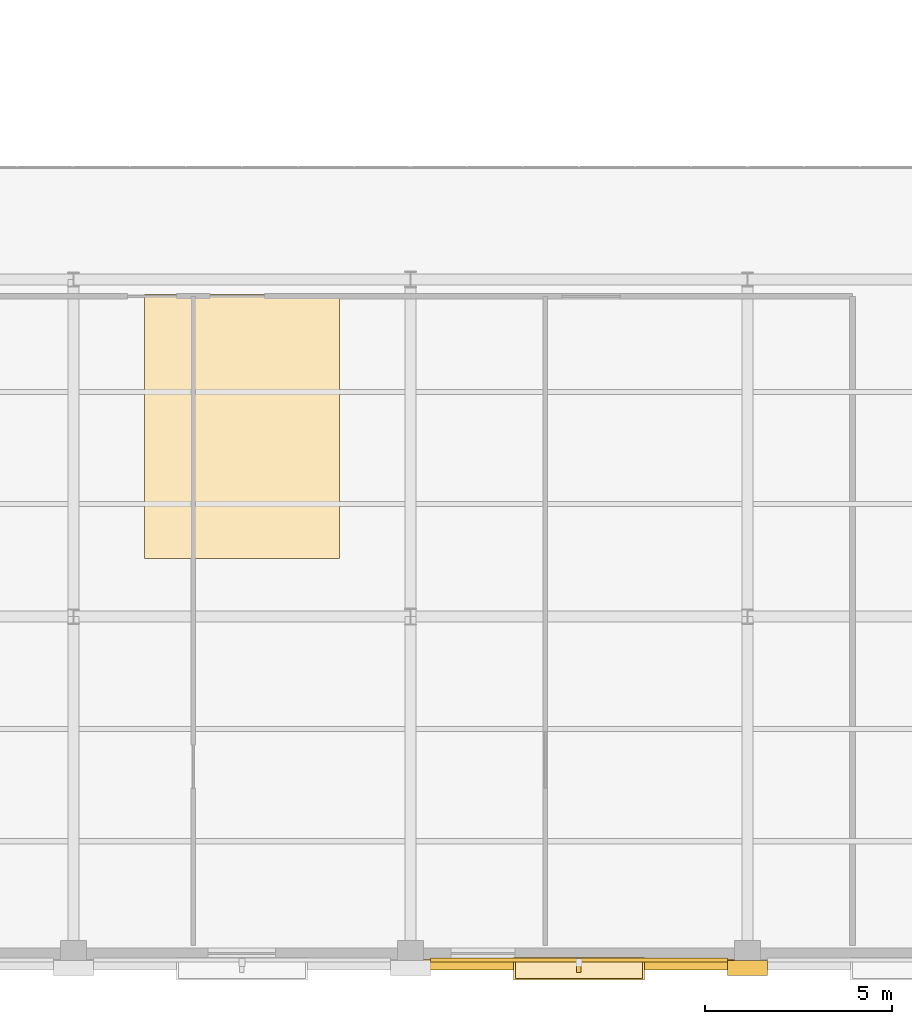
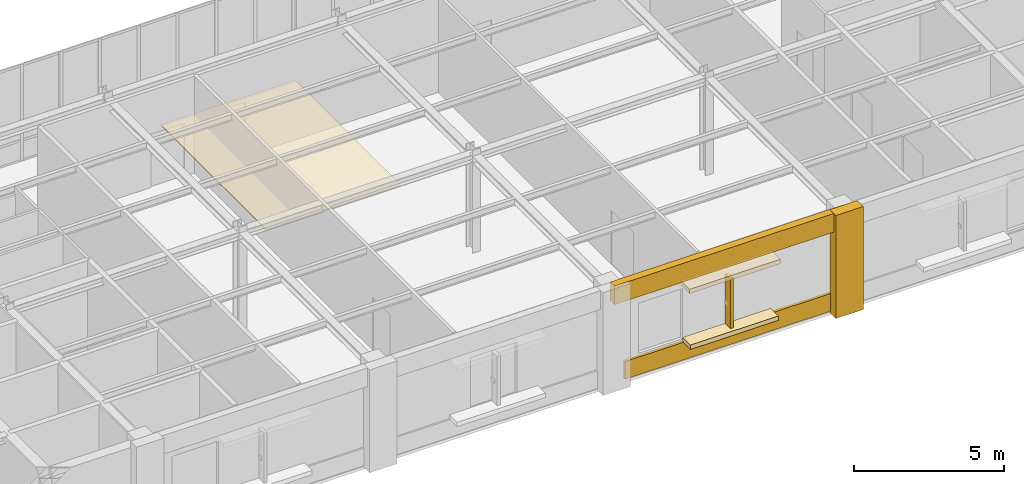
# One storey, part 123 of 130: 6 coverings, 1 shading device.
"""IFC4 building model written with IfcOpenShell, lengths in metres."""

from ifc_helpers import new_model, si_unit, direction, frame, origin, origin_2d, place, context, subcontext, project, spatial, rectangle, extrude, material, layer, layer_set, type_object, element, save


model = new_model("IFC4")

# Units and contexts
model_context = context("Model", 3, precision=1e-05, world=origin(), true_north=direction((0.0, 1.0)))
body_context = subcontext(model_context, "Body", "Model", "MODEL_VIEW")
ifc_project = project(units=[si_unit("LENGTHUNIT", "METRE"), si_unit("AREAUNIT", "SQUARE_METRE"), si_unit("VOLUMEUNIT", "CUBIC_METRE"), si_unit("PLANEANGLEUNIT", "RADIAN"), si_unit("MASSUNIT", "GRAM", prefix="KILO")], contexts=[model_context])

# Site, building, storey
site_placement = place(None, origin())
site = spatial("IfcSite", under=ifc_project, at=site_placement, CompositionType="ELEMENT")
building_placement = place(site_placement, origin())
building = spatial("IfcBuilding", under=site, at=building_placement, Name="Lykobir Media Centre", CompositionType="ELEMENT")
storey_placement = place(building_placement, frame((0.0, 0.0, 19.199951171875)))
storey = spatial("IfcBuildingStorey", under=building, at=storey_placement, Name="L04", CompositionType="ELEMENT", Elevation=19.199951171875)

# Coverings
ifc_material_1 = material(Name="Glazed Turquoise Terracotta", Category="masonry")
ifc_layer_1 = layer(ifc_material_1, 0.0400390625, Name="Glazed Turquoise Terracotta")
ifc_layer_set_1 = layer_set([ifc_layer_1], Name="Glazed Turquoise Terracotta")
covering_type_1 = type_object("IfcCoveringType", Name="CLD-TERR", PredefinedType="CLADDING", material=ifc_layer_set_1)
covering_1_placement = place(storey_placement, frame((58.5, -0.1708984375, 0.080078125), z_axis=(0.0, 0.0, 1.0), x_axis=(1.0, 0.0, 0.0)))
element("IfcCovering", 1, at=covering_1_placement, inside=storey, type_object=covering_type_1, Name="Facade spandrel apron 613", PredefinedType="CLADDING", context=body_context, shape_type="SweptSolid", body=[
    extrude(rectangle(XDim=7.929931640625, YDim=0.10009765625, at=origin_2d()), origin(), (0.0, 0.0, 1.0), 0.719970703125),
])
ifc_material_2 = material(Name="Honed Travertine Stone", Category="masonry")
ifc_layer_2 = layer(ifc_material_2, 0.050048828125, Name="Honed Travertine Stone")
ifc_layer_set_2 = layer_set([ifc_layer_2], Name="Honed Travertine Stone")
covering_type_2 = type_object("IfcCoveringType", Name="CLD-TRAV", PredefinedType="CLADDING", material=ifc_layer_set_2)
covering_2_placement = place(storey_placement, frame((63.0, -0.3798828125, 0.0), z_axis=(0.0, 0.0, 1.0), x_axis=(1.0, 0.0, 0.0)))
element("IfcCovering", 2, at=covering_2_placement, inside=storey, type_object=covering_type_2, Name="Travertine column pier 611", PredefinedType="CLADDING", context=body_context, shape_type="SweptSolid", body=[
    extrude(rectangle(XDim=1.06005859375, YDim=0.39990234375, at=origin_2d()), origin(), (0.0, 0.0, 1.0), 4.199951171875),
])
covering_3_placement = place(storey_placement, frame((58.5, -0.300048828125, 3.43994140625), z_axis=(0.0, 0.0, 1.0), x_axis=(1.0, 0.0, 0.0)))
element("IfcCovering", 3, at=covering_3_placement, inside=storey, type_object=covering_type_2, Name="Travertine spandrel stringcourse 612", PredefinedType="CLADDING", context=body_context, shape_type="SweptSolid", body=[
    extrude(rectangle(XDim=9.0, YDim=0.280029296875, at=origin_2d()), origin(), (0.0, 0.0, 1.0), 0.760009765625),
])
covering_4_placement = place(storey_placement, frame((58.5, -0.405029296875, 0.77001953125), z_axis=(0.0, 0.0, 1.0), x_axis=(1.0, 0.0, 0.0)))
element("IfcCovering", 4, at=covering_4_placement, inside=storey, type_object=covering_type_2, Name="Ottoman Cumba sill 614", PredefinedType="CLADDING", context=body_context, shape_type="SweptSolid", body=[
    extrude(rectangle(XDim=3.39990234375, YDim=0.52001953125, at=origin_2d()), origin(), (0.0, 0.0, 1.0), 0.179931640625),
])
covering_5_placement = place(storey_placement, frame((58.5, -0.405029296875, 3.08984375), z_axis=(0.0, 0.0, 1.0), x_axis=(1.0, 0.0, 0.0)))
element("IfcCovering", 5, at=covering_5_placement, inside=storey, type_object=covering_type_2, Name="Ottoman Cumba canopy 615", PredefinedType="CLADDING", context=body_context, shape_type="SweptSolid", body=[
    extrude(rectangle(XDim=3.5, YDim=0.60009765625, at=origin_2d()), origin(), (0.0, 0.0, 1.0), 0.179931640625),
])
ifc_material_3 = material(Name="Acoustic Gypsum Board", Category="gypsum")
ifc_layer_3 = layer(ifc_material_3, 0.0400390625, Name="Acoustic Gypsum Board")
ifc_layer_set_3 = layer_set([ifc_layer_3], Name="Acoustic Gypsum Board")
covering_type_3 = type_object("IfcCoveringType", Name="COV-CEIL", PredefinedType="CEILING", material=ifc_layer_set_3)
covering_6_placement = place(storey_placement, frame((49.5, 14.080078125, 2.300048828125), z_axis=(0.0, 0.0, 1.0), x_axis=(1.0, 0.0, 0.0)))
element("IfcCovering", 6, at=covering_6_placement, inside=storey, type_object=covering_type_3, Name="L04 acoustic suspended ceiling 5", PredefinedType="CEILING", context=body_context, shape_type="SweptSolid", body=[
    extrude(rectangle(XDim=5.199951171875, YDim=7.050048828125, at=origin_2d()), origin(), (0.0, 0.0, 1.0), 0.0400390625),
])

# Shading device
shading_device_type = type_object("IfcShadingDeviceType", Name="SHD-FIN", PredefinedType="USERDEFINED", material=ifc_material_1)
shading_device_placement = place(storey_placement, frame((58.5, -0.324951171875, 0.72509765625), z_axis=(0.0, 0.0, 1.0), x_axis=(1.0, 0.0, 0.0)))
element("IfcShadingDevice", 7, at=shading_device_placement, inside=storey, type_object=shading_device_type, Name="Terracotta shading fin 53", ObjectType="FIN", PredefinedType="USERDEFINED", context=body_context, shape_type="SweptSolid", body=[
    extrude(rectangle(XDim=0.1201171875, YDim=0.35009765625, at=origin_2d()), origin(), (0.0, 0.0, 1.0), 2.25),
])

save(model, "model.ifc")
